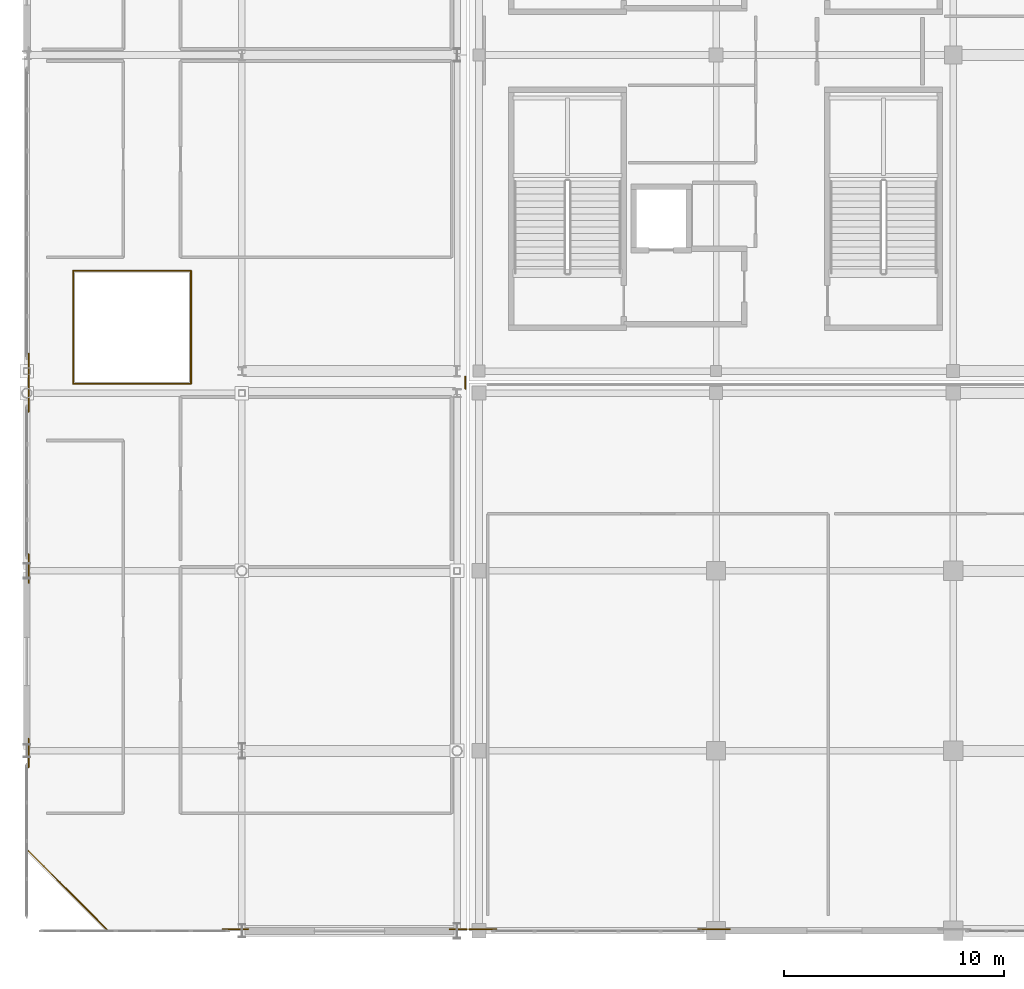
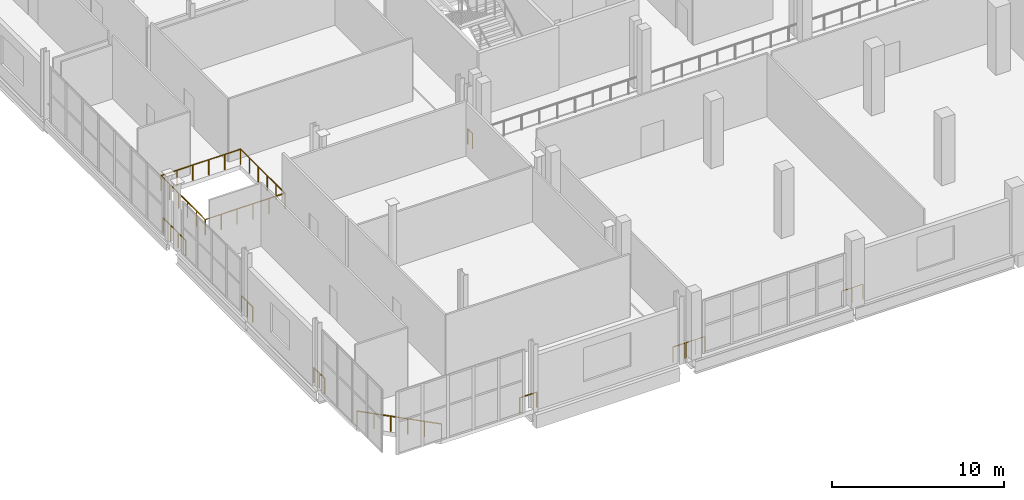
# One storey, part 110 of 142: 13 railings.
"""IFC4 building model written with IfcOpenShell, lengths in metres."""

from ifc_helpers import new_model, si_unit, direction, frame, origin, origin_2d, place, context, subcontext, project, spatial, circle, extrude, material, type_object, element, save


model = new_model("IFC4")

# Units and contexts
model_context = context("Model", 3, precision=1e-05, world=origin(), true_north=direction((0.0, 1.0)))
body_context = subcontext(model_context, "Body", "Model", "MODEL_VIEW")
ifc_project = project(units=[si_unit("LENGTHUNIT", "METRE"), si_unit("AREAUNIT", "SQUARE_METRE"), si_unit("VOLUMEUNIT", "CUBIC_METRE"), si_unit("PLANEANGLEUNIT", "RADIAN"), si_unit("MASSUNIT", "GRAM", prefix="KILO")], contexts=[model_context])

# Site, building, storey
site_placement = place(None, origin())
site = spatial("IfcSite", under=ifc_project, at=site_placement, CompositionType="ELEMENT")
building_placement = place(site_placement, origin())
building = spatial("IfcBuilding", under=site, at=building_placement, Name="Koshinbarg Plaza Stadium", CompositionType="ELEMENT")
storey_placement = place(building_placement, frame((0.0, 0.0, 10.199951171875)))
storey = spatial("IfcBuildingStorey", under=building, at=storey_placement, Name="L02", CompositionType="ELEMENT", Elevation=10.199951171875)

# Railings
ifc_material = material(Name="Toughened laminated glass and stainless steel sightline balustrade", Category="steel")
railing_type = type_object("IfcRailingType", Name="RL-BOWL-1100", PredefinedType="BALUSTRADE", material=ifc_material)
railing_1_placement = place(storey_placement, frame((6.1201171875, 24.919921875, 0.0)))
element("IfcRailing", 1, at=railing_1_placement, inside=storey, type_object=railing_type, Name="L02 atrium light-well balustrade 0067", PredefinedType="BALUSTRADE", context=body_context, shape_type="SweptSolid", body=[
    extrude(circle(Radius=0.02392578125, at=origin_2d()), frame((0.0, 0.0, 1.076171875), z_axis=(1.0, 0.0, 0.0), x_axis=(0.0, 1.0, 0.0)), (0.0, 0.0, 1.0), 5.35986328125),
    extrude(circle(Radius=0.02099609375, at=origin_2d()), origin(), (0.0, 0.0, 1.0), 1.052001953125),
    extrude(circle(Radius=0.02099609375, at=origin_2d()), frame((1.072021484375, 0.0, 0.0)), (0.0, 0.0, 1.0), 1.052001953125),
    extrude(circle(Radius=0.02099609375, at=origin_2d()), frame((2.14404296875, 0.0, 0.0)), (0.0, 0.0, 1.0), 1.052001953125),
    extrude(circle(Radius=0.02099609375, at=origin_2d()), frame((3.2158203125, 0.0, 0.0)), (0.0, 0.0, 1.0), 1.052001953125),
    extrude(circle(Radius=0.02099609375, at=origin_2d()), frame((4.287841796875, 0.0, 0.0)), (0.0, 0.0, 1.0), 1.052001953125),
    extrude(circle(Radius=0.02099609375, at=origin_2d()), frame((5.35986328125, 0.0, 0.0)), (0.0, 0.0, 1.0), 1.052001953125),
])
railing_2_placement = place(storey_placement, frame((11.47998046875, 24.919921875, 0.0)))
element("IfcRailing", 2, at=railing_2_placement, inside=storey, type_object=railing_type, Name="L02 atrium light-well balustrade 0068", PredefinedType="BALUSTRADE", context=body_context, shape_type="SweptSolid", body=[
    extrude(circle(Radius=0.02392578125, at=origin_2d()), frame((0.0, 0.0, 1.076171875), z_axis=(0.0, 1.0, 0.0), x_axis=(-1.0, 0.0, 0.0)), (0.0, 0.0, 1.0), 5.16015625),
    extrude(circle(Radius=0.02099609375, at=origin_2d()), origin(), (0.0, 0.0, 1.0), 1.052001953125),
    extrude(circle(Radius=0.02099609375, at=origin_2d()), frame((0.0, 1.031982421875, 0.0)), (0.0, 0.0, 1.0), 1.052001953125),
    extrude(circle(Radius=0.02099609375, at=origin_2d()), frame((0.0, 2.06396484375, 0.0)), (0.0, 0.0, 1.0), 1.052001953125),
    extrude(circle(Radius=0.02099609375, at=origin_2d()), frame((0.0, 3.09619140625, 0.0)), (0.0, 0.0, 1.0), 1.052001953125),
    extrude(circle(Radius=0.02099609375, at=origin_2d()), frame((0.0, 4.128173828125, 0.0)), (0.0, 0.0, 1.0), 1.052001953125),
    extrude(circle(Radius=0.02099609375, at=origin_2d()), frame((0.0, 5.16015625, 0.0)), (0.0, 0.0, 1.0), 1.052001953125),
])
railing_3_placement = place(storey_placement, frame((11.47998046875, 30.080078125, 0.0)))
element("IfcRailing", 3, at=railing_3_placement, inside=storey, type_object=railing_type, Name="L02 atrium light-well balustrade 0069", PredefinedType="BALUSTRADE", context=body_context, shape_type="SweptSolid", body=[
    extrude(circle(Radius=0.02392578125, at=origin_2d()), frame((0.0, 0.0, 1.076171875), z_axis=(-1.0, 0.0, 0.0), x_axis=(0.0, -1.0, 0.0)), (0.0, 0.0, 1.0), 5.35986328125),
    extrude(circle(Radius=0.02099609375, at=origin_2d()), origin(), (0.0, 0.0, 1.0), 1.052001953125),
    extrude(circle(Radius=0.02099609375, at=origin_2d()), frame((-1.072021484375, 0.0, 0.0)), (0.0, 0.0, 1.0), 1.052001953125),
    extrude(circle(Radius=0.02099609375, at=origin_2d()), frame((-2.14404296875, 0.0, 0.0)), (0.0, 0.0, 1.0), 1.052001953125),
    extrude(circle(Radius=0.02099609375, at=origin_2d()), frame((-3.2158203125, 0.0, 0.0)), (0.0, 0.0, 1.0), 1.052001953125),
    extrude(circle(Radius=0.02099609375, at=origin_2d()), frame((-4.287841796875, 0.0, 0.0)), (0.0, 0.0, 1.0), 1.052001953125),
    extrude(circle(Radius=0.02099609375, at=origin_2d()), frame((-5.35986328125, 0.0, 0.0)), (0.0, 0.0, 1.0), 1.052001953125),
])
railing_4_placement = place(storey_placement, frame((6.1201171875, 30.080078125, 0.0)))
element("IfcRailing", 4, at=railing_4_placement, inside=storey, type_object=railing_type, Name="L02 atrium light-well balustrade 0070", PredefinedType="BALUSTRADE", context=body_context, shape_type="SweptSolid", body=[
    extrude(circle(Radius=0.02392578125, at=origin_2d()), frame((0.0, 0.0, 1.076171875), z_axis=(0.0, -1.0, 0.0), x_axis=(1.0, 0.0, 0.0)), (0.0, 0.0, 1.0), 5.16015625),
    extrude(circle(Radius=0.02099609375, at=origin_2d()), origin(), (0.0, 0.0, 1.0), 1.052001953125),
    extrude(circle(Radius=0.02099609375, at=origin_2d()), frame((0.0, -1.031982421875, 0.0)), (0.0, 0.0, 1.0), 1.052001953125),
    extrude(circle(Radius=0.02099609375, at=origin_2d()), frame((0.0, -2.06396484375, 0.0)), (0.0, 0.0, 1.0), 1.052001953125),
    extrude(circle(Radius=0.02099609375, at=origin_2d()), frame((0.0, -3.09619140625, 0.0)), (0.0, 0.0, 1.0), 1.052001953125),
    extrude(circle(Radius=0.02099609375, at=origin_2d()), frame((0.0, -4.128173828125, 0.0)), (0.0, 0.0, 1.0), 1.052001953125),
    extrude(circle(Radius=0.02099609375, at=origin_2d()), frame((0.0, -5.16015625, 0.0)), (0.0, 0.0, 1.0), 1.052001953125),
])
railing_5_placement = place(storey_placement, frame((36.0341796875, 0.080078125, 0.0)))
element("IfcRailing", 5, at=railing_5_placement, inside=storey, type_object=railing_type, Name="L02 deck edge safety balustrade 0183", PredefinedType="BALUSTRADE", context=body_context, shape_type="SweptSolid", body=[
    extrude(circle(Radius=0.02392578125, at=origin_2d()), frame((0.0, 0.0, 1.076171875), z_axis=(-1.0, 0.0, 0.0), x_axis=(0.0, -1.0, 0.0)), (0.0, 0.0, 1.0), 1.448974609375),
    extrude(circle(Radius=0.02099609375, at=origin_2d()), origin(), (0.0, 0.0, 1.0), 1.052001953125),
    extrude(circle(Radius=0.02099609375, at=origin_2d()), frame((-0.724609375, 0.0, 0.0)), (0.0, 0.0, 1.0), 1.052001953125),
    extrude(circle(Radius=0.02099609375, at=origin_2d()), frame((-1.448974609375, 0.0, 0.0)), (0.0, 0.0, 1.0), 1.052001953125),
])
railing_6_placement = place(storey_placement, frame((25.39404296875, 0.080078125, 0.0)))
element("IfcRailing", 6, at=railing_6_placement, inside=storey, type_object=railing_type, Name="L02 deck edge safety balustrade 0184", PredefinedType="BALUSTRADE", context=body_context, shape_type="SweptSolid", body=[
    extrude(circle(Radius=0.02392578125, at=origin_2d()), frame((0.0, 0.0, 1.076171875), z_axis=(-1.0, 0.0, 0.0), x_axis=(0.0, -1.0, 0.0)), (0.0, 0.0, 1.0), 1.2490234375),
    extrude(circle(Radius=0.02099609375, at=origin_2d()), origin(), (0.0, 0.0, 1.0), 1.052001953125),
    extrude(circle(Radius=0.02099609375, at=origin_2d()), frame((-0.62451171875, 0.0, 0.0)), (0.0, 0.0, 1.0), 1.052001953125),
    extrude(circle(Radius=0.02099609375, at=origin_2d()), frame((-1.2490234375, 0.0, 0.0)), (0.0, 0.0, 1.0), 1.052001953125),
])
railing_7_placement = place(storey_placement, frame((7.656494140625, 0.056640625, 0.0)))
element("IfcRailing", 7, at=railing_7_placement, inside=storey, type_object=railing_type, Name="L02 deck edge safety balustrade 0214", PredefinedType="BALUSTRADE", context=body_context, shape_type="SweptSolid", body=[
    extrude(circle(Radius=0.02392578125, at=origin_2d()), frame((0.0, 0.0, 1.076171875), z_axis=(-0.707106781187, 0.707106781187, 0.0), x_axis=(-0.707106781187, -0.707106781187, 0.0)), (0.0, 0.0, 1.0), 5.091064453125),
    extrude(circle(Radius=0.02099609375, at=origin_2d()), origin(), (0.0, 0.0, 1.0), 1.052001953125),
    extrude(circle(Radius=0.02099609375, at=origin_2d()), frame((-0.719970703125, 0.719970703125, 0.0)), (0.0, 0.0, 1.0), 1.052001953125),
    extrude(circle(Radius=0.02099609375, at=origin_2d()), frame((-1.43994140625, 1.43994140625, 0.0)), (0.0, 0.0, 1.0), 1.052001953125),
    extrude(circle(Radius=0.02099609375, at=origin_2d()), frame((-2.159912109375, 2.159912109375, 0.0)), (0.0, 0.0, 1.0), 1.052001953125),
    extrude(circle(Radius=0.02099609375, at=origin_2d()), frame((-2.8798828125, 2.8798828125, 0.0)), (0.0, 0.0, 1.0), 1.052001953125),
    extrude(circle(Radius=0.02099609375, at=origin_2d()), frame((-3.599853515625, 3.599853515625, 0.0)), (0.0, 0.0, 1.0), 1.052001953125),
])
railing_8_placement = place(storey_placement, frame((4.080078125, 7.449951171875, 0.0)))
element("IfcRailing", 8, at=railing_8_placement, inside=storey, type_object=railing_type, Name="L02 deck edge safety balustrade 0215", PredefinedType="BALUSTRADE", context=body_context, shape_type="SweptSolid", body=[
    extrude(circle(Radius=0.02392578125, at=origin_2d()), frame((0.0, 0.0, 1.076171875), z_axis=(0.0, 1.0, 0.0), x_axis=(-1.0, 0.0, 0.0)), (0.0, 0.0, 1.0), 1.300048828125),
    extrude(circle(Radius=0.02099609375, at=origin_2d()), origin(), (0.0, 0.0, 1.0), 1.052001953125),
    extrude(circle(Radius=0.02099609375, at=origin_2d()), frame((0.0, 0.64990234375, 0.0)), (0.0, 0.0, 1.0), 1.052001953125),
    extrude(circle(Radius=0.02099609375, at=origin_2d()), frame((0.0, 1.300048828125, 0.0)), (0.0, 0.0, 1.0), 1.052001953125),
])
railing_9_placement = place(storey_placement, frame((4.080078125, 15.85009765625, 0.0)))
element("IfcRailing", 9, at=railing_9_placement, inside=storey, type_object=railing_type, Name="L02 deck edge safety balustrade 0216", PredefinedType="BALUSTRADE", context=body_context, shape_type="SweptSolid", body=[
    extrude(circle(Radius=0.02392578125, at=origin_2d()), frame((0.0, 0.0, 1.076171875), z_axis=(0.0, 1.0, 0.0), x_axis=(-1.0, 0.0, 0.0)), (0.0, 0.0, 1.0), 1.2998046875),
    extrude(circle(Radius=0.02099609375, at=origin_2d()), origin(), (0.0, 0.0, 1.0), 1.052001953125),
    extrude(circle(Radius=0.02099609375, at=origin_2d()), frame((0.0, 0.64990234375, 0.0)), (0.0, 0.0, 1.0), 1.052001953125),
    extrude(circle(Radius=0.02099609375, at=origin_2d()), frame((0.0, 1.2998046875, 0.0)), (0.0, 0.0, 1.0), 1.052001953125),
])
railing_10_placement = place(storey_placement, frame((4.080078125, 23.64990234375, 0.0)))
element("IfcRailing", 10, at=railing_10_placement, inside=storey, type_object=railing_type, Name="L02 deck edge safety balustrade 0217", PredefinedType="BALUSTRADE", context=body_context, shape_type="SweptSolid", body=[
    extrude(circle(Radius=0.02392578125, at=origin_2d()), frame((0.0, 0.0, 1.076171875), z_axis=(0.0, 1.0, 0.0), x_axis=(-1.0, 0.0, 0.0)), (0.0, 0.0, 1.0), 2.650146484375),
    extrude(circle(Radius=0.02099609375, at=origin_2d()), origin(), (0.0, 0.0, 1.0), 1.052001953125),
    extrude(circle(Radius=0.02099609375, at=origin_2d()), frame((0.0, 0.88330078125, 0.0)), (0.0, 0.0, 1.0), 1.052001953125),
    extrude(circle(Radius=0.02099609375, at=origin_2d()), frame((0.0, 1.766845703125, 0.0)), (0.0, 0.0, 1.0), 1.052001953125),
    extrude(circle(Radius=0.02099609375, at=origin_2d()), frame((0.0, 2.650146484375, 0.0)), (0.0, 0.0, 1.0), 1.052001953125),
])
railing_11_placement = place(storey_placement, frame((23.97509765625, 25.25, 0.0)))
element("IfcRailing", 11, at=railing_11_placement, inside=storey, type_object=railing_type, Name="L02 deck edge safety balustrade 0219", PredefinedType="BALUSTRADE", context=body_context, shape_type="SweptSolid", body=[
    extrude(circle(Radius=0.02392578125, at=origin_2d()), frame((0.0, 0.0, 1.076171875), z_axis=(0.0, -1.0, 0.0), x_axis=(1.0, 0.0, 0.0)), (0.0, 0.0, 1.0), 0.550048828125),
    extrude(circle(Radius=0.02099609375, at=origin_2d()), origin(), (0.0, 0.0, 1.0), 1.052001953125),
    extrude(circle(Radius=0.02099609375, at=origin_2d()), frame((0.0, -0.550048828125, 0.0)), (0.0, 0.0, 1.0), 1.052001953125),
])
railing_12_placement = place(storey_placement, frame((24.054931640625, 0.080078125, 0.0)))
element("IfcRailing", 12, at=railing_12_placement, inside=storey, type_object=railing_type, Name="L02 deck edge safety balustrade 0220", PredefinedType="BALUSTRADE", context=body_context, shape_type="SweptSolid", body=[
    extrude(circle(Radius=0.02392578125, at=origin_2d()), frame((0.0, 0.0, 1.076171875), z_axis=(-1.0, 0.0, 0.0), x_axis=(0.0, -1.0, 0.0)), (0.0, 0.0, 1.0), 0.79833984375),
    extrude(circle(Radius=0.02099609375, at=origin_2d()), origin(), (0.0, 0.0, 1.0), 1.052001953125),
    extrude(circle(Radius=0.02099609375, at=origin_2d()), frame((-0.79833984375, 0.0, 0.0)), (0.0, 0.0, 1.0), 1.052001953125),
])
railing_13_placement = place(storey_placement, frame((14.082763671875, 0.080078125, 0.0)))
element("IfcRailing", 13, at=railing_13_placement, inside=storey, type_object=railing_type, Name="L02 deck edge safety balustrade 0221", PredefinedType="BALUSTRADE", context=body_context, shape_type="SweptSolid", body=[
    extrude(circle(Radius=0.02392578125, at=origin_2d()), frame((0.0, 0.0, 1.076171875), z_axis=(-1.0, 0.0, 0.0), x_axis=(0.0, -1.0, 0.0)), (0.0, 0.0, 1.0), 1.14794921875),
    extrude(circle(Radius=0.02099609375, at=origin_2d()), origin(), (0.0, 0.0, 1.0), 1.052001953125),
    extrude(circle(Radius=0.02099609375, at=origin_2d()), frame((-1.14794921875, 0.0, 0.0)), (0.0, 0.0, 1.0), 1.052001953125),
])

save(model, "model.ifc")
